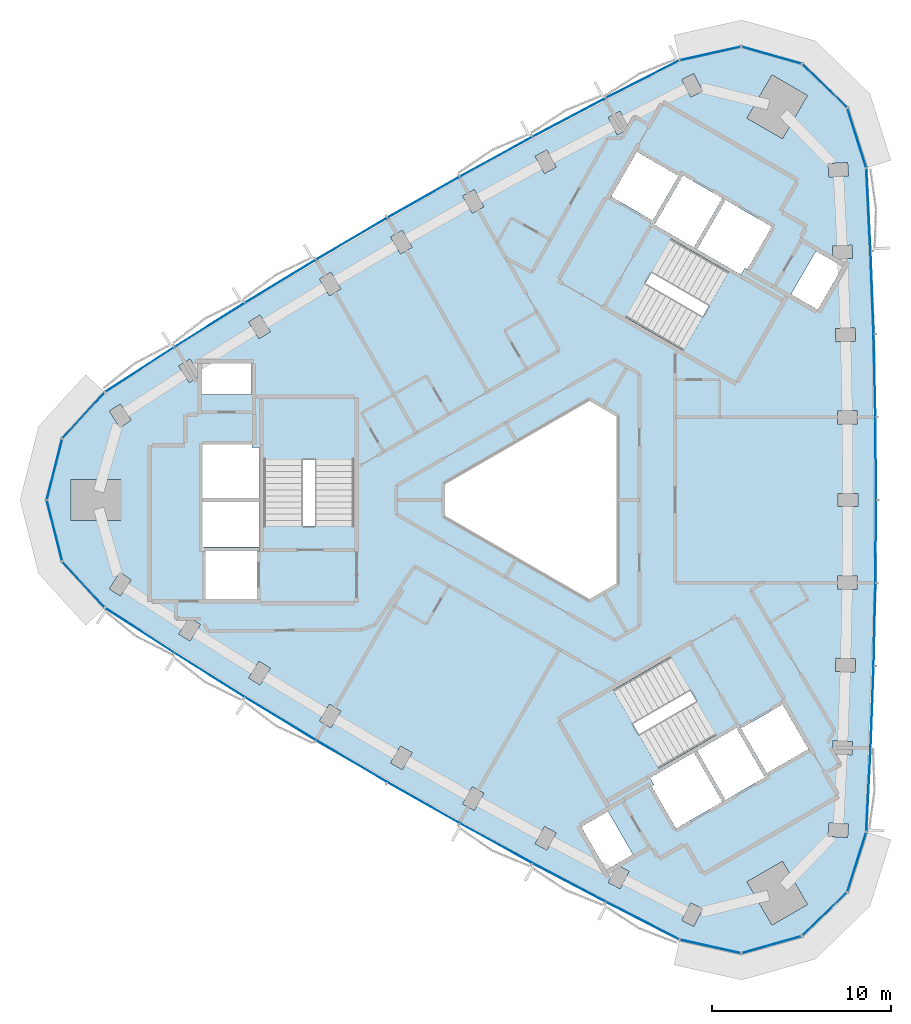
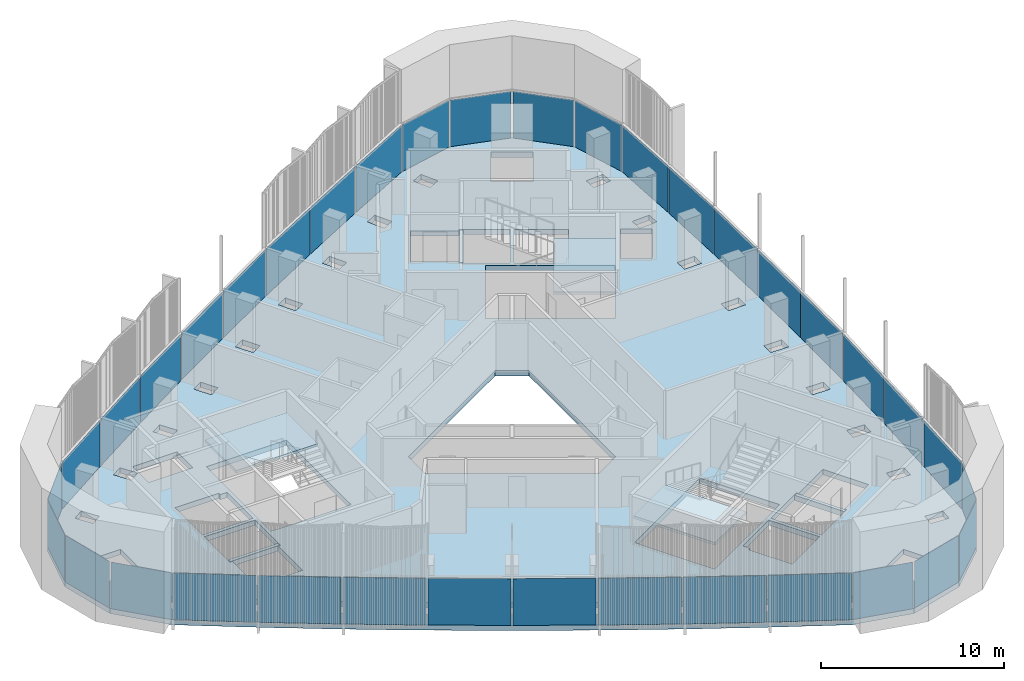
# One storey, part 7 of 14: 36 plates, 4 slabs, 6 elements without a shape of their own.
"""IFC4 building model written with IfcOpenShell, lengths in metres."""

from ifc_helpers import new_model, si_unit, direction, frame, origin, origin_2d, place, context, subcontext, project, spatial, polyline, rectangle, outline, extrude, material, layer, layer_set, type_object, element, aggregate, save


model = new_model("IFC4")

# Units and contexts
model_context = context("Model", 3, precision=1e-05, world=origin(), true_north=direction((0.0, 1.0)))
body_context = subcontext(model_context, "Body", "Model", "MODEL_VIEW")
ifc_project = project(units=[si_unit("LENGTHUNIT", "METRE"), si_unit("AREAUNIT", "SQUARE_METRE"), si_unit("VOLUMEUNIT", "CUBIC_METRE"), si_unit("PLANEANGLEUNIT", "RADIAN"), si_unit("MASSUNIT", "GRAM", prefix="KILO")], contexts=[model_context])

# Site, building, storey
site_placement = place(None, origin())
site = spatial("IfcSite", under=ifc_project, at=site_placement, CompositionType="ELEMENT")
building_placement = place(site_placement, origin())
building = spatial("IfcBuilding", under=site, at=building_placement, Name="Tamra Quay Hotel Tower", CompositionType="ELEMENT")
storey_placement = place(building_placement, frame((0.0, 0.0, 250.199951171875)))
storey = spatial("IfcBuildingStorey", under=building, at=storey_placement, Name="L63", CompositionType="ELEMENT", Elevation=250.199951171875)

# Stair, slab
ifc_material_1 = material(Name="Exit stair 2200 24 risers 150.0 going 342")
stair_type = type_object("IfcStairType", Name="Exit stair 2200 24 risers 150.0 going 342", PredefinedType="HALF_TURN_STAIR", material=ifc_material_1)
stair_1_placement = place(storey_placement, origin())
stair_1 = element("IfcStair", 1, at=stair_1_placement, inside=storey, type_object=stair_type, Name="L63 Exit stair ST3", PredefinedType="HALF_TURN_STAIR")
ifc_material_2 = material(Name="Concrete M70", Category="concrete")
ifc_layer_1 = layer(ifc_material_2, 0.175048828125)
ifc_layer_set_1 = layer_set([ifc_layer_1], Name="Concrete M70 stair landing 180")
slab_type_1 = type_object("IfcSlabType", Name="Concrete M70 stair landing 180", PredefinedType="LANDING", material=ifc_layer_set_1)
slab_1_placement = place(storey_placement, frame((0.0, 0.0, 1.625)))
slab_1 = element("IfcSlab", 2, at=slab_1_placement, type_object=slab_type_1, Name="ST3 landing 1", PredefinedType="LANDING", context=body_context, shape_type="SweptSolid", body=[
    extrude(outline(polyline([(-10.932373046875, 2.261962890625), (-10.932373046875, 5.679931640625), (-16.09130859375, 5.679931640625), (-16.09130859375, 2.261962890625), (-10.932373046875, 2.261962890625)])), origin(), (0.0, 0.0, 1.0), 0.175048828125),
])
aggregate(stair_1, [slab_1])

stair_2_placement = place(storey_placement, origin())
stair_2 = element("IfcStair", 3, at=stair_2_placement, inside=storey, type_object=stair_type, Name="L63 Exit stair ST1", PredefinedType="HALF_TURN_STAIR")
slab_2_placement = place(storey_placement, frame((0.0, 0.0, 1.625)))
slab_2 = element("IfcSlab", 4, at=slab_2_placement, type_object=slab_type_1, Name="ST1 landing 1", PredefinedType="LANDING", context=body_context, shape_type="SweptSolid", body=[
    extrude(outline(polyline([(7.425048828125, 8.336669921875), (10.385009765625, 6.627685546875), (12.964599609375, 11.095458984375), (10.00439453125, 12.804443359375), (7.425048828125, 8.336669921875)])), origin(), (0.0, 0.0, 1.0), 0.175048828125),
])
aggregate(stair_2, [slab_2])

stair_3_placement = place(storey_placement, origin())
stair_3 = element("IfcStair", 5, at=stair_3_placement, inside=storey, type_object=stair_type, Name="L63 Exit stair ST2", PredefinedType="HALF_TURN_STAIR")
slab_3_placement = place(storey_placement, frame((0.0, 0.0, 1.625)))
slab_3 = element("IfcSlab", 6, at=slab_3_placement, type_object=slab_type_1, Name="ST2 landing 1", PredefinedType="LANDING", context=body_context, shape_type="SweptSolid", body=[
    extrude(outline(polyline([(3.50732421875, -10.5986328125), (0.547119140625, -12.3076171875), (3.126708984375, -16.775390625), (6.086669921875, -15.06640625), (3.50732421875, -10.5986328125)])), origin(), (0.0, 0.0, 1.0), 0.175048828125),
])
aggregate(stair_3, [slab_3])

# Slab
ifc_material_3 = material(Name="Concrete M60", Category="concrete")
ifc_layer_2 = layer(ifc_material_3, 0.35009765625)
ifc_layer_set_2 = layer_set([ifc_layer_2], Name="FLOOR SLAB PT 350")
slab_type_2 = type_object("IfcSlabType", Name="FLOOR SLAB PT 350", PredefinedType="FLOOR", material=ifc_layer_set_2)
slab_4_placement = place(storey_placement, frame((0.0, 0.0, -0.349853515625)))
element("IfcSlab", 7, at=slab_4_placement, inside=storey, type_object=slab_type_2, Name="SLAB-L63", PredefinedType="FLOOR", context=body_context, shape_type="SweptSolid", body=[
    extrude(outline(polyline([(17.935791015625, 13.94091796875), (18.106689453125, 9.29541015625), (18.208984375, 4.648681640625), (18.243408203125, 0.0), (18.208984375, -4.648681640625), (18.106689453125, -9.29541015625), (17.935791015625, -13.94091796875), (17.69677734375, -18.5830078125), (16.633056640625, -21.9541015625), (14.09716796875, -24.4169921875), (10.6962890625, -25.3818359375), (7.244873046875, -24.617431640625), (3.105224609375, -22.50341796875), (-1.00341796875, -20.328369140625), (-5.078857421875, -18.093994140625), (-9.12158203125, -15.79931640625), (-13.13037109375, -13.4453125), (-17.103271484375, -11.033203125), (-21.041015625, -8.5625), (-24.941650390625, -6.034423828125), (-27.329345703125, -3.427490234375), (-28.1943359375, 0.0), (-27.329345703125, 3.427490234375), (-24.941650390625, 6.034423828125), (-21.041015625, 8.5625), (-17.103271484375, 11.033203125), (-13.13037109375, 13.4453125), (-9.12158203125, 15.79931640625), (-5.078857421875, 18.093994140625), (-1.00341796875, 20.328369140625), (3.105224609375, 22.50341796875), (7.244873046875, 24.617431640625), (10.6962890625, 25.3818359375), (14.09716796875, 24.4169921875), (16.633056640625, 21.9541015625), (17.69677734375, 18.5830078125), (17.935791015625, 13.94091796875)]), holes=[polyline([(-8.9345703125, -14.724853515625), (-8.284912109375, -15.099853515625), (-7.73486328125, -14.147216796875), (-8.384521484375, -13.772216796875), (-8.9345703125, -14.724853515625)]), polyline([(-12.927001953125, -12.373779296875), (-12.283203125, -12.758544921875), (-11.718994140625, -11.814208984375), (-12.36279296875, -11.4296875), (-12.927001953125, -12.373779296875)]), polyline([(-16.885009765625, -9.964599609375), (-16.24658203125, -10.3583984375), (-15.669189453125, -9.422119140625), (-16.3076171875, -9.0283203125), (-16.885009765625, -9.964599609375)]), polyline([(-20.21533203125, -6.56982421875), (-20.806640625, -7.497314453125), (-20.17431640625, -7.900634765625), (-19.5830078125, -6.972900390625), (-20.21533203125, -6.56982421875)]), polyline([(-24.08740234375, -4.05419921875), (-24.69189453125, -4.972900390625), (-24.0654296875, -5.38525390625), (-23.460693359375, -4.46630859375), (-24.08740234375, -4.05419921875)]), polyline([(-19.4072265625, -2.85498046875), (-19.4072265625, -2.89306640625), (-19.307373046875, -2.89306640625), (-19.307373046875, -5.544921875), (-16.417236328125, -5.544921875), (-16.417236328125, -2.89306640625), (-16.3173828125, -2.89306640625), (-16.3173828125, -2.85498046875), (-19.4072265625, -2.85498046875)]), polyline([(-19.417236328125, -2.89306640625), (-19.417236328125, -2.64501953125), (-16.307373046875, -2.64501953125), (-16.307373046875, -2.89306640625), (-16.26708984375, -2.89306640625), (-16.26708984375, -0.10498046875), (-19.45751953125, -0.10498046875), (-19.45751953125, -2.89306640625), (-19.417236328125, -2.89306640625)]), polyline([(-24.0205078125, 1.14990234375), (-26.8203125, 1.14990234375), (-26.8203125, -1.14990234375), (-24.0205078125, -1.14990234375), (-24.0205078125, 1.14990234375)]), polyline([(-16.707275390625, 2.945068359375), (-16.707275390625, 3.09521484375), (-19.45751953125, 3.09521484375), (-19.45751953125, 0.10498046875), (-16.26708984375, 0.10498046875), (-16.26708984375, 2.945068359375), (-16.707275390625, 2.945068359375)]), polyline([(-16.036376953125, -1.455078125), (-10.9873046875, -1.455078125), (-10.9873046875, 5.625), (-16.036376953125, 5.625), (-16.036376953125, -1.455078125)]), polyline([(-23.460693359375, 4.46630859375), (-24.0654296875, 5.38525390625), (-24.69189453125, 4.972900390625), (-24.08740234375, 4.05419921875), (-23.460693359375, 4.46630859375)]), polyline([(-19.50732421875, 7.64501953125), (-19.50732421875, 5.9150390625), (-16.71728515625, 5.9150390625), (-16.71728515625, 7.64501953125), (-19.50732421875, 7.64501953125)]), polyline([(-19.5830078125, 6.972900390625), (-20.17431640625, 7.900634765625), (-20.806640625, 7.497314453125), (-20.21533203125, 6.56982421875), (-19.5830078125, 6.972900390625)]), polyline([(-15.669189453125, 9.422119140625), (-16.24658203125, 10.3583984375), (-16.885009765625, 9.964599609375), (-16.3076171875, 9.0283203125), (-15.669189453125, 9.422119140625)]), polyline([(-12.283203125, 12.758544921875), (-12.927001953125, 12.373779296875), (-12.36279296875, 11.4296875), (-11.718994140625, 11.814208984375), (-12.283203125, 12.758544921875)]), polyline([(-7.73486328125, 14.147216796875), (-8.284912109375, 15.099853515625), (-8.9345703125, 14.724853515625), (-8.384521484375, 13.772216796875), (-7.73486328125, 14.147216796875)]), polyline([(7.8623046875, -22.55078125), (7.368896484375, -23.533935546875), (8.039306640625, -23.870361328125), (8.53271484375, -22.88720703125), (7.8623046875, -22.55078125)]), polyline([(3.2451171875, -21.421875), (3.910400390625, -21.767822265625), (4.41796875, -20.7919921875), (3.752685546875, -20.44580078125), (3.2451171875, -21.421875)]), polyline([(1.73779296875, -18.300048828125), (3.1328125, -20.71630859375), (4.631103515625, -19.851318359375), (3.236083984375, -17.43505859375), (1.73779296875, -18.300048828125)]), polyline([(-0.3251953125, -18.281005859375), (-0.847412109375, -19.2490234375), (-0.187255859375, -19.60498046875), (0.334716796875, -18.636962890625), (-0.3251953125, -18.281005859375)]), polyline([(-4.90771484375, -17.016845703125), (-4.252685546875, -17.382080078125), (-3.716796875, -16.42138671875), (-4.3720703125, -16.05615234375), (-4.90771484375, -17.016845703125)]), polyline([(5.5830078125, -15.560302734375), (5.80322265625, -15.94140625), (5.673095703125, -16.0166015625), (7.04833984375, -18.398193359375), (9.6376953125, -16.903076171875), (8.042724609375, -14.14013671875), (5.5830078125, -15.560302734375)]), polyline([(12.214111328125, -15.369384765625), (11.999267578125, -15.493408203125), (10.4443359375, -12.800048828125), (10.6591796875, -12.676025390625), (10.63916015625, -12.64111328125), (8.224609375, -14.03515625), (9.819580078125, -16.798095703125), (12.234130859375, -15.404052734375), (12.214111328125, -15.369384765625)]), polyline([(6.75390625, -8.78759765625), (0.622314453125, -12.32763671875), (3.146728515625, -16.7001953125), (9.2783203125, -13.160400390625), (6.75390625, -8.78759765625)]), polyline([(-6.0, 0.923828125), (-6.0, -0.923828125), (2.199951171875, -5.657958984375), (3.800048828125, -4.734375), (3.800048828125, 4.734375), (2.199951171875, 5.657958984375), (-6.0, 0.923828125)]), polyline([(4.2333984375, 10.242919921875), (10.364990234375, 6.702880859375), (12.889404296875, 11.075439453125), (6.758056640625, 14.615478515625), (4.2333984375, 10.242919921875)]), polyline([(7.203125, 18.262451171875), (7.41796875, 18.138427734375), (5.863037109375, 15.445068359375), (5.648193359375, 15.569091796875), (5.628173828125, 15.5341796875), (8.04248046875, 14.140380859375), (9.6376953125, 16.903076171875), (7.22314453125, 18.297119140625), (7.203125, 18.262451171875)]), polyline([(-3.716796875, 16.42138671875), (-4.252685546875, 17.382080078125), (-4.90771484375, 17.016845703125), (-4.3720703125, 16.05615234375), (-3.716796875, 16.42138671875)]), polyline([(7.231201171875, 18.234619140625), (7.1982421875, 18.253662109375), (7.148193359375, 18.1669921875), (4.8515625, 19.4931640625), (3.406494140625, 16.990234375), (5.703125, 15.664306640625), (5.6533203125, 15.57763671875), (5.68603515625, 15.55859375), (7.231201171875, 18.234619140625)]), polyline([(0.334716796875, 18.636962890625), (-0.187255859375, 19.60498046875), (-0.847412109375, 19.2490234375), (-0.3251953125, 18.281005859375), (0.334716796875, 18.636962890625)]), polyline([(4.41796875, 20.7919921875), (3.910400390625, 21.767822265625), (3.2451171875, 21.421875), (3.752685546875, 20.44580078125), (4.41796875, 20.7919921875)]), polyline([(8.039306640625, 23.870361328125), (7.368896484375, 23.533935546875), (7.8623046875, 22.55078125), (8.53271484375, 22.88720703125), (8.039306640625, 23.870361328125)]), polyline([(11.014404296875, -21.377197265625), (12.414306640625, -23.802001953125), (14.406005859375, -22.652099609375), (13.006103515625, -20.227294921875), (11.014404296875, -21.377197265625)]), polyline([(15.554443359375, -18.8330078125), (16.652587890625, -18.8974609375), (16.696533203125, -18.148681640625), (15.598388671875, -18.08447265625), (15.554443359375, -18.8330078125)]), polyline([(16.896240234375, -14.2705078125), (16.92919921875, -13.52099609375), (15.830322265625, -13.472900390625), (15.79736328125, -14.22216796875), (16.896240234375, -14.2705078125)]), polyline([(10.631103515625, -12.70361328125), (12.176025390625, -15.379638671875), (12.208984375, -15.360595703125), (12.1591796875, -15.274169921875), (14.455810546875, -13.947998046875), (13.0107421875, -11.4453125), (10.714111328125, -12.771240234375), (10.6640625, -12.6845703125), (10.631103515625, -12.70361328125)]), polyline([(15.97265625, -9.6083984375), (17.072265625, -9.640380859375), (17.093994140625, -8.890625), (15.994384765625, -8.85888671875), (15.97265625, -9.6083984375)]), polyline([(17.1796875, -5.00830078125), (17.19091796875, -4.25830078125), (16.091064453125, -4.24169921875), (16.079833984375, -4.99169921875), (17.1796875, -5.00830078125)]), polyline([(16.119384765625, -0.375), (17.219482421875, -0.375), (17.219482421875, 0.375), (16.119384765625, 0.375), (16.119384765625, -0.375)]), polyline([(16.091064453125, 4.24169921875), (17.19091796875, 4.25830078125), (17.1796875, 5.00830078125), (16.079833984375, 4.99169921875), (16.091064453125, 4.24169921875)]), polyline([(17.093994140625, 8.890625), (17.072265625, 9.640380859375), (15.97265625, 9.6083984375), (15.994384765625, 8.85888671875), (17.093994140625, 8.890625)]), polyline([(14.9794921875, 10.655029296875), (16.37451171875, 13.0712890625), (14.876220703125, 13.936279296875), (13.481201171875, 11.52001953125), (14.9794921875, 10.655029296875)]), polyline([(15.830322265625, 13.472900390625), (16.92919921875, 13.52099609375), (16.896240234375, 14.2705078125), (15.79736328125, 14.22216796875), (15.830322265625, 13.472900390625)]), polyline([(10.904052734375, 12.996337890625), (11.0341796875, 12.92138671875), (12.4091796875, 15.302978515625), (9.819580078125, 16.798095703125), (8.224365234375, 14.035400390625), (10.68408203125, 12.615234375), (10.904052734375, 12.996337890625)]), polyline([(15.598388671875, 18.08447265625), (16.696533203125, 18.148681640625), (16.652587890625, 18.8974609375), (15.554443359375, 18.8330078125), (15.598388671875, 18.08447265625)]), polyline([(13.006103515625, 20.227294921875), (14.406005859375, 22.652099609375), (12.414306640625, 23.802001953125), (11.014404296875, 21.377197265625), (13.006103515625, 20.227294921875)])]), origin(), (0.0, 0.0, 1.0), 0.349853515625),
])

# Curtain wall, plates
ifc_material_4 = material(Name="Aluminium 6063 anodised dark grey", Category="aluminium")
curtain_wall_type_1 = type_object("IfcCurtainWallType", Name="CW1 CURTAIN WALL", PredefinedType="NOTDEFINED", material=ifc_material_4)
curtain_wall_1_placement = place(storey_placement, origin())
curtain_wall_1 = element("IfcCurtainWall", 8, at=curtain_wall_1_placement, inside=storey, type_object=curtain_wall_type_1, Name="CW1 east face L63", PredefinedType="NOTDEFINED")
ifc_material_5 = material(Name="Glass clear laminated low-iron", Category="glass")
ifc_layer_3 = layer(ifc_material_5, 0.028076171875)
ifc_layer_set_3 = layer_set([ifc_layer_3], Name="GLASS PANEL CW1 Z5")
plate_type_1 = type_object("IfcPlateType", Name="GLASS PANEL CW1 Z5", PredefinedType="CURTAIN_PANEL", material=ifc_layer_set_3)
plate_1_placement = place(storey_placement, frame((17.81640625, -16.261962890625, 0.0), z_axis=(0.0, 0.0, 1.0), x_axis=(0.051403368539, 0.998677972974, 0.0)))
plate_1 = element("IfcPlate", 9, at=plate_1_placement, type_object=plate_type_1, Name="CW1 glass L63.E.1", PredefinedType="CURTAIN_PANEL", context=body_context, shape_type="SweptSolid", body=[
    extrude(rectangle(XDim=4.54833984375, YDim=0.028076171875, at=origin_2d()), origin(), (0.0, 0.0, 1.0), 3.110107421875),
])
plate_2_placement = place(storey_placement, frame((18.021240234375, -11.617919921875, 0.0), z_axis=(0.0, 0.0, 1.0), x_axis=(0.036744655796, 0.999324687111, 0.0)))
plate_2 = element("IfcPlate", 10, at=plate_2_placement, type_object=plate_type_1, Name="CW1 glass L63.E.2", PredefinedType="CURTAIN_PANEL", context=body_context, shape_type="SweptSolid", body=[
    extrude(rectangle(XDim=4.548583984375, YDim=0.028076171875, at=origin_2d()), origin(), (0.0, 0.0, 1.0), 3.110107421875),
])
plate_3_placement = place(storey_placement, frame((18.157958984375, -6.971923828125, 0.0), z_axis=(0.0, 0.0, 1.0), x_axis=(0.022062883967, 0.99975658495, 0.0)))
plate_3 = element("IfcPlate", 11, at=plate_3_placement, type_object=plate_type_1, Name="CW1 glass L63.E.3", PredefinedType="CURTAIN_PANEL", context=body_context, shape_type="SweptSolid", body=[
    extrude(rectangle(XDim=4.5478515625, YDim=0.028076171875, at=origin_2d()), origin(), (0.0, 0.0, 1.0), 3.110107421875),
])
plate_4_placement = place(storey_placement, frame((18.226318359375, -2.32421875, 0.0), z_axis=(0.0, 0.0, 1.0), x_axis=(0.007361813182, 0.999972901486, 0.0)))
plate_4 = element("IfcPlate", 12, at=plate_4_placement, type_object=plate_type_1, Name="CW1 glass L63.E.4", PredefinedType="CURTAIN_PANEL", context=body_context, shape_type="SweptSolid", body=[
    extrude(rectangle(XDim=4.548828125, YDim=0.028076171875, at=origin_2d()), origin(), (0.0, 0.0, 1.0), 3.110107421875),
])
plate_5_placement = place(storey_placement, frame((18.226318359375, 2.32421875, 0.0), z_axis=(0.0, 0.0, 1.0), x_axis=(-0.007361813182, 0.999972901486, 0.0)))
plate_5 = element("IfcPlate", 13, at=plate_5_placement, type_object=plate_type_1, Name="CW1 glass L63.E.5", PredefinedType="CURTAIN_PANEL", context=body_context, shape_type="SweptSolid", body=[
    extrude(rectangle(XDim=4.548828125, YDim=0.028076171875, at=origin_2d()), origin(), (0.0, 0.0, 1.0), 3.110107421875),
])
plate_6_placement = place(storey_placement, frame((18.157958984375, 6.971923828125, 0.0), z_axis=(0.0, 0.0, 1.0), x_axis=(-0.022062883967, 0.99975658495, 0.0)))
plate_6 = element("IfcPlate", 14, at=plate_6_placement, type_object=plate_type_1, Name="CW1 glass L63.E.6", PredefinedType="CURTAIN_PANEL", context=body_context, shape_type="SweptSolid", body=[
    extrude(rectangle(XDim=4.5478515625, YDim=0.028076171875, at=origin_2d()), origin(), (0.0, 0.0, 1.0), 3.110107421875),
])
plate_7_placement = place(storey_placement, frame((18.021240234375, 11.617919921875, 0.0), z_axis=(0.0, 0.0, 1.0), x_axis=(-0.036744655796, 0.999324687111, 0.0)))
plate_7 = element("IfcPlate", 15, at=plate_7_placement, type_object=plate_type_1, Name="CW1 glass L63.E.7", PredefinedType="CURTAIN_PANEL", context=body_context, shape_type="SweptSolid", body=[
    extrude(rectangle(XDim=4.548583984375, YDim=0.028076171875, at=origin_2d()), origin(), (0.0, 0.0, 1.0), 3.110107421875),
])
plate_8_placement = place(storey_placement, frame((17.81640625, 16.261962890625, 0.0), z_axis=(0.0, 0.0, 1.0), x_axis=(-0.051403368539, 0.998677972974, 0.0)))
plate_8 = element("IfcPlate", 16, at=plate_8_placement, type_object=plate_type_1, Name="CW1 glass L63.E.8", PredefinedType="CURTAIN_PANEL", context=body_context, shape_type="SweptSolid", body=[
    extrude(rectangle(XDim=4.54833984375, YDim=0.028076171875, at=origin_2d()), origin(), (0.0, 0.0, 1.0), 3.110107421875),
])
plate_9_placement = place(storey_placement, frame((17.1650390625, 20.2685546875, 0.0), z_axis=(0.0, 0.0, 1.0), x_axis=(-0.30090299279, 0.95365475353, 0.0)))
plate_9 = element("IfcPlate", 17, at=plate_9_placement, type_object=plate_type_1, Name="CW1 glass L63.E.9", PredefinedType="CURTAIN_PANEL", context=body_context, shape_type="SweptSolid", body=[
    extrude(rectangle(XDim=3.43505859375, YDim=0.028076171875, at=origin_2d()), origin(), (0.0, 0.0, 1.0), 3.110107421875),
])
plate_10_placement = place(storey_placement, frame((15.365234375, 23.185546875, 0.0), z_axis=(0.0, 0.0, 1.0), x_axis=(-0.717364100925, 0.696698461821, 0.0)))
plate_10 = element("IfcPlate", 18, at=plate_10_placement, type_object=plate_type_1, Name="CW1 glass L63.E.10", PredefinedType="CURTAIN_PANEL", context=body_context, shape_type="SweptSolid", body=[
    extrude(rectangle(XDim=3.43505859375, YDim=0.028076171875, at=origin_2d()), origin(), (0.0, 0.0, 1.0), 3.110107421875),
])
plate_11_placement = place(storey_placement, frame((12.396728515625, 24.8994140625, 0.0), z_axis=(0.0, 0.0, 1.0), x_axis=(-0.962040617177, 0.272906304254, 0.0)))
plate_11 = element("IfcPlate", 19, at=plate_11_placement, type_object=plate_type_1, Name="CW1 glass L63.E.11", PredefinedType="CURTAIN_PANEL", context=body_context, shape_type="SweptSolid", body=[
    extrude(rectangle(XDim=3.43505859375, YDim=0.028076171875, at=origin_2d()), origin(), (0.0, 0.0, 1.0), 3.110107421875),
])
plate_12_placement = place(storey_placement, frame((8.970458984375, 24.99951171875, 0.0), z_axis=(0.0, 0.0, 1.0), x_axis=(-0.976340739392, -0.216237740934, 0.0)))
plate_12 = element("IfcPlate", 20, at=plate_12_placement, type_object=plate_type_1, Name="CW1 glass L63.E.12", PredefinedType="CURTAIN_PANEL", context=body_context, shape_type="SweptSolid", body=[
    extrude(rectangle(XDim=3.43505859375, YDim=0.028076171875, at=origin_2d()), origin(), (0.0, 0.0, 1.0), 3.110107421875),
])
aggregate(curtain_wall_1, [plate_1, plate_2, plate_3, plate_4, plate_5, plate_6, plate_7, plate_8, plate_9, plate_10, plate_11, plate_12])

curtain_wall_type_2 = type_object("IfcCurtainWallType", Name="CW2 CURTAIN WALL", PredefinedType="NOTDEFINED", material=ifc_material_4)
curtain_wall_2_placement = place(storey_placement, origin())
curtain_wall_2 = element("IfcCurtainWall", 21, at=curtain_wall_2_placement, inside=storey, type_object=curtain_wall_type_2, Name="CW2 north-west face L63", PredefinedType="NOTDEFINED")
ifc_layer_4 = layer(ifc_material_5, 0.028076171875)
ifc_layer_set_4 = layer_set([ifc_layer_4], Name="GLASS PANEL CW2 Z5")
plate_type_2 = type_object("IfcPlateType", Name="GLASS PANEL CW2 Z5", PredefinedType="CURTAIN_PANEL", material=ifc_layer_set_4)
plate_13_placement = place(storey_placement, frame((5.175048828125, 23.560302734375, 0.0), z_axis=(0.0, 0.0, 1.0), x_axis=(-0.890582179064, -0.454822363492, 0.0)))
plate_13 = element("IfcPlate", 22, at=plate_13_placement, type_object=plate_type_2, Name="CW2 glass L63.NW.1", PredefinedType="CURTAIN_PANEL", context=body_context, shape_type="SweptSolid", body=[
    extrude(rectangle(XDim=4.54833984375, YDim=0.028076171875, at=origin_2d()), origin(), (0.0, 0.0, 1.0), 3.110107421875),
])
plate_14_placement = place(storey_placement, frame((1.051025390625, 21.415771484375, 0.0), z_axis=(0.0, 0.0, 1.0), x_axis=(-0.883812893566, -0.467840538183, 0.0)))
plate_14 = element("IfcPlate", 23, at=plate_14_placement, type_object=plate_type_2, Name="CW2 glass L63.NW.2", PredefinedType="CURTAIN_PANEL", context=body_context, shape_type="SweptSolid", body=[
    extrude(rectangle(XDim=4.548583984375, YDim=0.028076171875, at=origin_2d()), origin(), (0.0, 0.0, 1.0), 3.110107421875),
])
plate_15_placement = place(storey_placement, frame((-3.041015625, 19.211181640625, 0.0), z_axis=(0.0, 0.0, 1.0), x_axis=(-0.876846042151, -0.480771274479, 0.0)))
plate_15 = element("IfcPlate", 24, at=plate_15_placement, type_object=plate_type_2, Name="CW2 glass L63.NW.3", PredefinedType="CURTAIN_PANEL", context=body_context, shape_type="SweptSolid", body=[
    extrude(rectangle(XDim=4.5478515625, YDim=0.028076171875, at=origin_2d()), origin(), (0.0, 0.0, 1.0), 3.110107421875),
])
plate_16_placement = place(storey_placement, frame((-7.100341796875, 16.946533203125, 0.0), z_axis=(0.0, 0.0, 1.0), x_axis=(-0.869682842374, -0.493610933509, 0.0)))
plate_16 = element("IfcPlate", 25, at=plate_16_placement, type_object=plate_type_2, Name="CW2 glass L63.NW.4", PredefinedType="CURTAIN_PANEL", context=body_context, shape_type="SweptSolid", body=[
    extrude(rectangle(XDim=4.548828125, YDim=0.028076171875, at=origin_2d()), origin(), (0.0, 0.0, 1.0), 3.110107421875),
])
plate_17_placement = place(storey_placement, frame((-11.1259765625, 14.622314453125, 0.0), z_axis=(0.0, 0.0, 1.0), x_axis=(-0.862321029192, -0.506361967977, 0.0)))
plate_17 = element("IfcPlate", 26, at=plate_17_placement, type_object=plate_type_2, Name="CW2 glass L63.NW.5", PredefinedType="CURTAIN_PANEL", context=body_context, shape_type="SweptSolid", body=[
    extrude(rectangle(XDim=4.548828125, YDim=0.028076171875, at=origin_2d()), origin(), (0.0, 0.0, 1.0), 3.110107421875),
])
plate_18_placement = place(storey_placement, frame((-15.11669921875, 12.2392578125, 0.0), z_axis=(0.0, 0.0, 1.0), x_axis=(-0.854783158184, -0.518985310471, 0.0)))
plate_18 = element("IfcPlate", 27, at=plate_18_placement, type_object=plate_type_2, Name="CW2 glass L63.NW.6", PredefinedType="CURTAIN_PANEL", context=body_context, shape_type="SweptSolid", body=[
    extrude(rectangle(XDim=4.5478515625, YDim=0.028076171875, at=origin_2d()), origin(), (0.0, 0.0, 1.0), 3.110107421875),
])
plate_19_placement = place(storey_placement, frame((-19.072021484375, 9.7978515625, 0.0), z_axis=(0.0, 0.0, 1.0), x_axis=(-0.847068237769, -0.531484148929, 0.0)))
plate_19 = element("IfcPlate", 28, at=plate_19_placement, type_object=plate_type_2, Name="CW2 glass L63.NW.7", PredefinedType="CURTAIN_PANEL", context=body_context, shape_type="SweptSolid", body=[
    extrude(rectangle(XDim=4.548583984375, YDim=0.028076171875, at=origin_2d()), origin(), (0.0, 0.0, 1.0), 3.110107421875),
])
plate_20_placement = place(storey_placement, frame((-22.991455078125, 7.29833984375, 0.0), z_axis=(0.0, 0.0, 1.0), x_axis=(-0.839178810526, -0.543855609481, 0.0)))
plate_20 = element("IfcPlate", 29, at=plate_20_placement, type_object=plate_type_2, Name="CW2 glass L63.NW.8", PredefinedType="CURTAIN_PANEL", context=body_context, shape_type="SweptSolid", body=[
    extrude(rectangle(XDim=4.54833984375, YDim=0.028076171875, at=origin_2d()), origin(), (0.0, 0.0, 1.0), 3.110107421875),
])
plate_21_placement = place(storey_placement, frame((-26.135498046875, 4.73095703125, 0.0), z_axis=(0.0, 0.0, 1.0), x_axis=(-0.675437746601, -0.737417012596, 0.0)))
plate_21 = element("IfcPlate", 30, at=plate_21_placement, type_object=plate_type_2, Name="CW2 glass L63.NW.9", PredefinedType="CURTAIN_PANEL", context=body_context, shape_type="SweptSolid", body=[
    extrude(rectangle(XDim=3.43505859375, YDim=0.028076171875, at=origin_2d()), origin(), (0.0, 0.0, 1.0), 3.110107421875),
])
plate_22_placement = place(storey_placement, frame((-27.761962890625, 1.7138671875, 0.0), z_axis=(0.0, 0.0, 1.0), x_axis=(-0.244676516252, -0.969604766075, 0.0)))
plate_22 = element("IfcPlate", 31, at=plate_22_placement, type_object=plate_type_2, Name="CW2 glass L63.NW.10", PredefinedType="CURTAIN_PANEL", context=body_context, shape_type="SweptSolid", body=[
    extrude(rectangle(XDim=3.43505859375, YDim=0.028076171875, at=origin_2d()), origin(), (0.0, 0.0, 1.0), 3.110107421875),
])
plate_23_placement = place(storey_placement, frame((-27.761962890625, -1.7138671875, 0.0), z_axis=(0.0, 0.0, 1.0), x_axis=(0.244676516252, -0.969604766075, 0.0)))
plate_23 = element("IfcPlate", 32, at=plate_23_placement, type_object=plate_type_2, Name="CW2 glass L63.NW.11", PredefinedType="CURTAIN_PANEL", context=body_context, shape_type="SweptSolid", body=[
    extrude(rectangle(XDim=3.43505859375, YDim=0.028076171875, at=origin_2d()), origin(), (0.0, 0.0, 1.0), 3.110107421875),
])
plate_24_placement = place(storey_placement, frame((-26.135498046875, -4.73095703125, 0.0), z_axis=(0.0, 0.0, 1.0), x_axis=(0.675437746601, -0.737417012596, 0.0)))
plate_24 = element("IfcPlate", 33, at=plate_24_placement, type_object=plate_type_2, Name="CW2 glass L63.NW.12", PredefinedType="CURTAIN_PANEL", context=body_context, shape_type="SweptSolid", body=[
    extrude(rectangle(XDim=3.43505859375, YDim=0.028076171875, at=origin_2d()), origin(), (0.0, 0.0, 1.0), 3.110107421875),
])
aggregate(curtain_wall_2, [plate_13, plate_14, plate_15, plate_16, plate_17, plate_18, plate_19, plate_20, plate_21, plate_22, plate_23, plate_24])

curtain_wall_type_3 = type_object("IfcCurtainWallType", Name="CW3 CURTAIN WALL", PredefinedType="NOTDEFINED", material=ifc_material_4)
curtain_wall_3_placement = place(storey_placement, origin())
curtain_wall_3 = element("IfcCurtainWall", 34, at=curtain_wall_3_placement, inside=storey, type_object=curtain_wall_type_3, Name="CW3 south-west face L63", PredefinedType="NOTDEFINED")
ifc_layer_5 = layer(ifc_material_5, 0.028076171875)
ifc_layer_set_5 = layer_set([ifc_layer_5], Name="GLASS PANEL CW3 Z5")
plate_type_3 = type_object("IfcPlateType", Name="GLASS PANEL CW3 Z5", PredefinedType="CURTAIN_PANEL", material=ifc_layer_set_5)
plate_25_placement = place(storey_placement, frame((-22.991455078125, -7.29833984375, 0.0), z_axis=(0.0, 0.0, 1.0), x_axis=(0.839178810526, -0.543855609481, 0.0)))
plate_25 = element("IfcPlate", 35, at=plate_25_placement, type_object=plate_type_3, Name="CW3 glass L63.SW.1", PredefinedType="CURTAIN_PANEL", context=body_context, shape_type="SweptSolid", body=[
    extrude(rectangle(XDim=4.54833984375, YDim=0.028076171875, at=origin_2d()), origin(), (0.0, 0.0, 1.0), 3.110107421875),
])
plate_26_placement = place(storey_placement, frame((-19.072021484375, -9.7978515625, 0.0), z_axis=(0.0, 0.0, 1.0), x_axis=(0.847068237769, -0.531484148929, 0.0)))
plate_26 = element("IfcPlate", 36, at=plate_26_placement, type_object=plate_type_3, Name="CW3 glass L63.SW.2", PredefinedType="CURTAIN_PANEL", context=body_context, shape_type="SweptSolid", body=[
    extrude(rectangle(XDim=4.548583984375, YDim=0.028076171875, at=origin_2d()), origin(), (0.0, 0.0, 1.0), 3.110107421875),
])
plate_27_placement = place(storey_placement, frame((-15.11669921875, -12.2392578125, 0.0), z_axis=(0.0, 0.0, 1.0), x_axis=(0.854783158184, -0.518985310471, 0.0)))
plate_27 = element("IfcPlate", 37, at=plate_27_placement, type_object=plate_type_3, Name="CW3 glass L63.SW.3", PredefinedType="CURTAIN_PANEL", context=body_context, shape_type="SweptSolid", body=[
    extrude(rectangle(XDim=4.5478515625, YDim=0.028076171875, at=origin_2d()), origin(), (0.0, 0.0, 1.0), 3.110107421875),
])
plate_28_placement = place(storey_placement, frame((-11.1259765625, -14.622314453125, 0.0), z_axis=(0.0, 0.0, 1.0), x_axis=(0.862321029192, -0.506361967977, 0.0)))
plate_28 = element("IfcPlate", 38, at=plate_28_placement, type_object=plate_type_3, Name="CW3 glass L63.SW.4", PredefinedType="CURTAIN_PANEL", context=body_context, shape_type="SweptSolid", body=[
    extrude(rectangle(XDim=4.548828125, YDim=0.028076171875, at=origin_2d()), origin(), (0.0, 0.0, 1.0), 3.110107421875),
])
plate_29_placement = place(storey_placement, frame((-7.100341796875, -16.946533203125, 0.0), z_axis=(0.0, 0.0, 1.0), x_axis=(0.869682842374, -0.493610933509, 0.0)))
plate_29 = element("IfcPlate", 39, at=plate_29_placement, type_object=plate_type_3, Name="CW3 glass L63.SW.5", PredefinedType="CURTAIN_PANEL", context=body_context, shape_type="SweptSolid", body=[
    extrude(rectangle(XDim=4.548828125, YDim=0.028076171875, at=origin_2d()), origin(), (0.0, 0.0, 1.0), 3.110107421875),
])
plate_30_placement = place(storey_placement, frame((-3.041015625, -19.211181640625, 0.0), z_axis=(0.0, 0.0, 1.0), x_axis=(0.876846042151, -0.480771274479, 0.0)))
plate_30 = element("IfcPlate", 40, at=plate_30_placement, type_object=plate_type_3, Name="CW3 glass L63.SW.6", PredefinedType="CURTAIN_PANEL", context=body_context, shape_type="SweptSolid", body=[
    extrude(rectangle(XDim=4.5478515625, YDim=0.028076171875, at=origin_2d()), origin(), (0.0, 0.0, 1.0), 3.110107421875),
])
plate_31_placement = place(storey_placement, frame((1.051025390625, -21.415771484375, 0.0), z_axis=(0.0, 0.0, 1.0), x_axis=(0.883812893566, -0.467840538183, 0.0)))
plate_31 = element("IfcPlate", 41, at=plate_31_placement, type_object=plate_type_3, Name="CW3 glass L63.SW.7", PredefinedType="CURTAIN_PANEL", context=body_context, shape_type="SweptSolid", body=[
    extrude(rectangle(XDim=4.548583984375, YDim=0.028076171875, at=origin_2d()), origin(), (0.0, 0.0, 1.0), 3.110107421875),
])
plate_32_placement = place(storey_placement, frame((5.175048828125, -23.560302734375, 0.0), z_axis=(0.0, 0.0, 1.0), x_axis=(0.890582179064, -0.454822363492, 0.0)))
plate_32 = element("IfcPlate", 42, at=plate_32_placement, type_object=plate_type_3, Name="CW3 glass L63.SW.8", PredefinedType="CURTAIN_PANEL", context=body_context, shape_type="SweptSolid", body=[
    extrude(rectangle(XDim=4.54833984375, YDim=0.028076171875, at=origin_2d()), origin(), (0.0, 0.0, 1.0), 3.110107421875),
])
plate_33_placement = place(storey_placement, frame((8.970458984375, -24.99951171875, 0.0), z_axis=(0.0, 0.0, 1.0), x_axis=(0.976340739392, -0.216237740934, 0.0)))
plate_33 = element("IfcPlate", 43, at=plate_33_placement, type_object=plate_type_3, Name="CW3 glass L63.SW.9", PredefinedType="CURTAIN_PANEL", context=body_context, shape_type="SweptSolid", body=[
    extrude(rectangle(XDim=3.43505859375, YDim=0.028076171875, at=origin_2d()), origin(), (0.0, 0.0, 1.0), 3.110107421875),
])
plate_34_placement = place(storey_placement, frame((12.396728515625, -24.8994140625, 0.0), z_axis=(0.0, 0.0, 1.0), x_axis=(0.962040617177, 0.272906304254, 0.0)))
plate_34 = element("IfcPlate", 44, at=plate_34_placement, type_object=plate_type_3, Name="CW3 glass L63.SW.10", PredefinedType="CURTAIN_PANEL", context=body_context, shape_type="SweptSolid", body=[
    extrude(rectangle(XDim=3.43505859375, YDim=0.028076171875, at=origin_2d()), origin(), (0.0, 0.0, 1.0), 3.110107421875),
])
plate_35_placement = place(storey_placement, frame((15.365234375, -23.185546875, 0.0), z_axis=(0.0, 0.0, 1.0), x_axis=(0.717364100925, 0.696698461821, 0.0)))
plate_35 = element("IfcPlate", 45, at=plate_35_placement, type_object=plate_type_3, Name="CW3 glass L63.SW.11", PredefinedType="CURTAIN_PANEL", context=body_context, shape_type="SweptSolid", body=[
    extrude(rectangle(XDim=3.43505859375, YDim=0.028076171875, at=origin_2d()), origin(), (0.0, 0.0, 1.0), 3.110107421875),
])
plate_36_placement = place(storey_placement, frame((17.1650390625, -20.2685546875, 0.0), z_axis=(0.0, 0.0, 1.0), x_axis=(0.30090299279, 0.95365475353, 0.0)))
plate_36 = element("IfcPlate", 46, at=plate_36_placement, type_object=plate_type_3, Name="CW3 glass L63.SW.12", PredefinedType="CURTAIN_PANEL", context=body_context, shape_type="SweptSolid", body=[
    extrude(rectangle(XDim=3.43505859375, YDim=0.028076171875, at=origin_2d()), origin(), (0.0, 0.0, 1.0), 3.110107421875),
])
aggregate(curtain_wall_3, [plate_25, plate_26, plate_27, plate_28, plate_29, plate_30, plate_31, plate_32, plate_33, plate_34, plate_35, plate_36])

save(model, "model.ifc")
